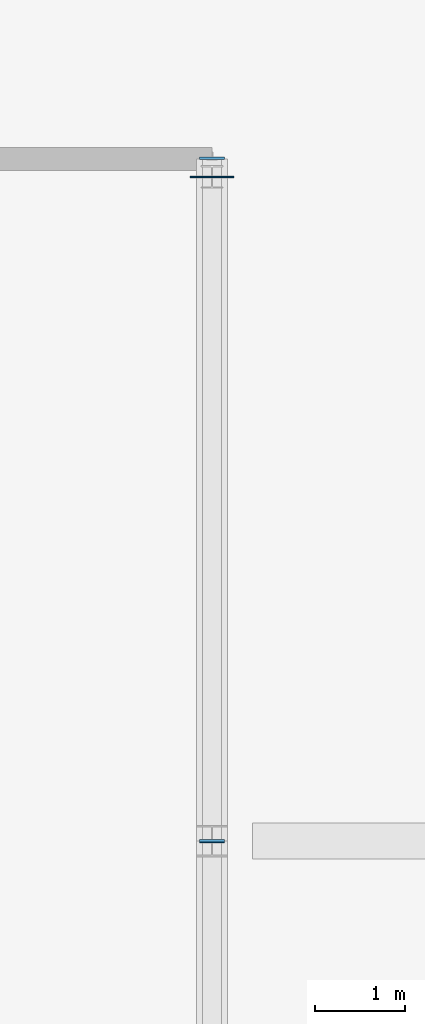
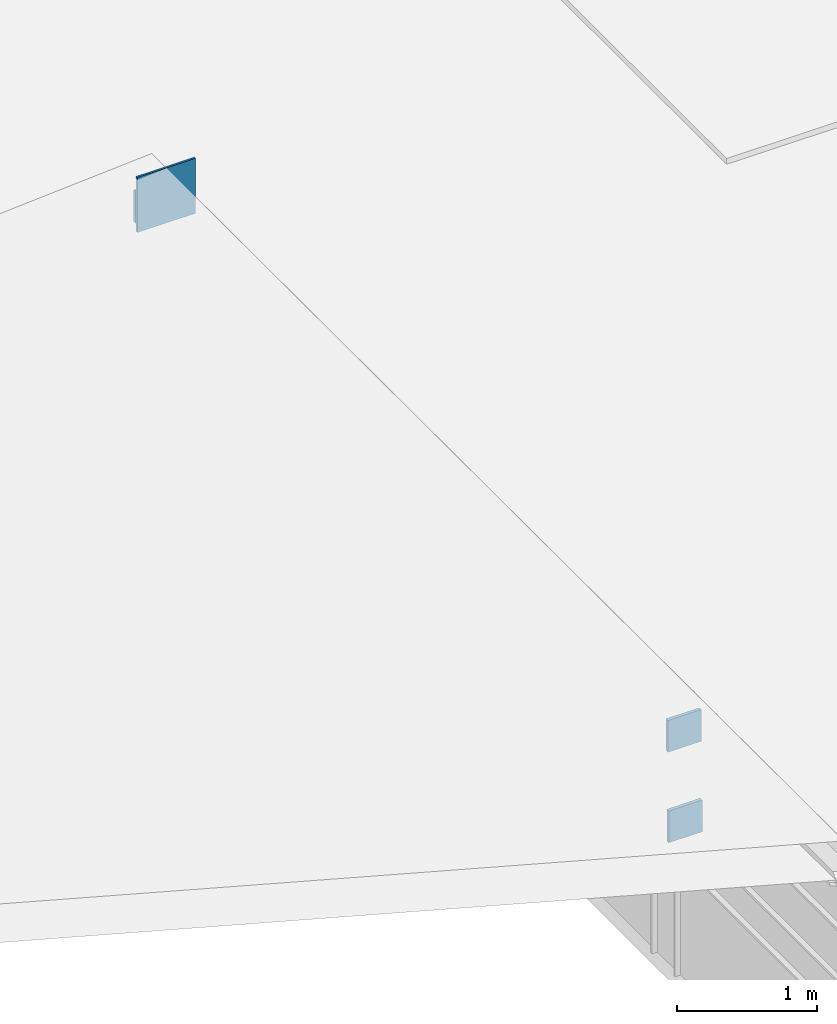
# One storey, part 70 of 77: 4 plates.
"""IFC4 building model written with IfcOpenShell, lengths in metres."""

from ifc_helpers import new_model, si_unit, direction, frame, origin, origin_2d, place, context, subcontext, project, spatial, rectangle, extrude, material, layer, layer_set, type_object, element, save


model = new_model("IFC4")

# Units and contexts
model_context = context("Model", 3, precision=1e-05, world=origin(), true_north=direction((0.0, 1.0)))
body_context = subcontext(model_context, "Body", "Model", "MODEL_VIEW")
ifc_project = project(units=[si_unit("LENGTHUNIT", "METRE"), si_unit("AREAUNIT", "SQUARE_METRE"), si_unit("VOLUMEUNIT", "CUBIC_METRE"), si_unit("PLANEANGLEUNIT", "RADIAN"), si_unit("MASSUNIT", "GRAM", prefix="KILO")], contexts=[model_context])

# Site, building, storey
site_placement = place(None, origin())
site = spatial("IfcSite", under=ifc_project, at=site_placement, CompositionType="ELEMENT")
building_placement = place(site_placement, origin())
building = spatial("IfcBuilding", under=site, at=building_placement, Name="Larkvane Passage Sports Hall", CompositionType="ELEMENT")
storey_placement = place(building_placement, frame((0.0, 0.0, 22.199951171875)))
storey = spatial("IfcBuildingStorey", under=building, at=storey_placement, Name="RF", CompositionType="ELEMENT", Elevation=22.199951171875)

# Plates
ifc_material_1 = material(Name="Steel S355JR", Category="steel")
ifc_layer_1 = layer(ifc_material_1, 0.011962890625)
ifc_layer_set_1 = layer_set([ifc_layer_1], Name="Steel S355JR")
plate_type_1 = type_object("IfcPlateType", Name="PLT-CAP-12", PredefinedType="SHEET", material=ifc_layer_set_1)
for number, where, z_axis, x_axis, name in (
    (1, (34.800048828125, 91.60595703125, 1.84228515625), (0.0, 0.0, 1.0), (-1.0, 0.0, 0.0), "Hollow section sealed end cap plate 0535"),
    (2, (34.800048828125, 91.593994140625, 1.06103515625), (0.0, 0.0, 1.0), (-1.0, 0.0, 0.0), "Hollow section sealed end cap plate 0536"),
    (3, (34.800048828125, 99.2060546875, 1.84228515625), (0.0, 0.0, 1.0), (-1.0, 0.0, 0.0), "Hollow section sealed end cap plate 0537"),
):
    element("IfcPlate", number, at=place(storey_placement, frame(where, z_axis=z_axis, x_axis=x_axis)), inside=storey, type_object=plate_type_1, Name=name, PredefinedType="SHEET", context=body_context, shape_type="SweptSolid", body=[
        extrude(rectangle(XDim=0.27587890625, YDim=0.028076171875, at=origin_2d()), origin(), (0.0, 0.0, 1.0), 0.277099609375),
    ])
ifc_material_2 = material(Name="Steel S460N", Category="steel")
ifc_layer_2 = layer(ifc_material_2, 0.01611328125)
ifc_layer_set_2 = layer_set([ifc_layer_2], Name="Steel S460N")
plate_type_2 = type_object("IfcPlateType", Name="PLT-GUS-16", PredefinedType="USERDEFINED", material=ifc_layer_set_2)
plate_placement = place(storey_placement, frame((34.800048828125, 99.0, 1.920166015625), z_axis=(0.0, 0.0, 1.0), x_axis=(1.0, 0.0, 0.0)))
element("IfcPlate", 4, at=plate_placement, inside=storey, type_object=plate_type_2, Name="Brace connection gusset plate 0529", ObjectType="GUSSET PLATE", PredefinedType="USERDEFINED", context=body_context, shape_type="SweptSolid", body=[
    extrude(rectangle(XDim=0.47998046875, YDim=0.01611328125, at=origin_2d()), origin(), (0.0, 0.0, 1.0), 0.47998046875),
])

save(model, "model.ifc")
